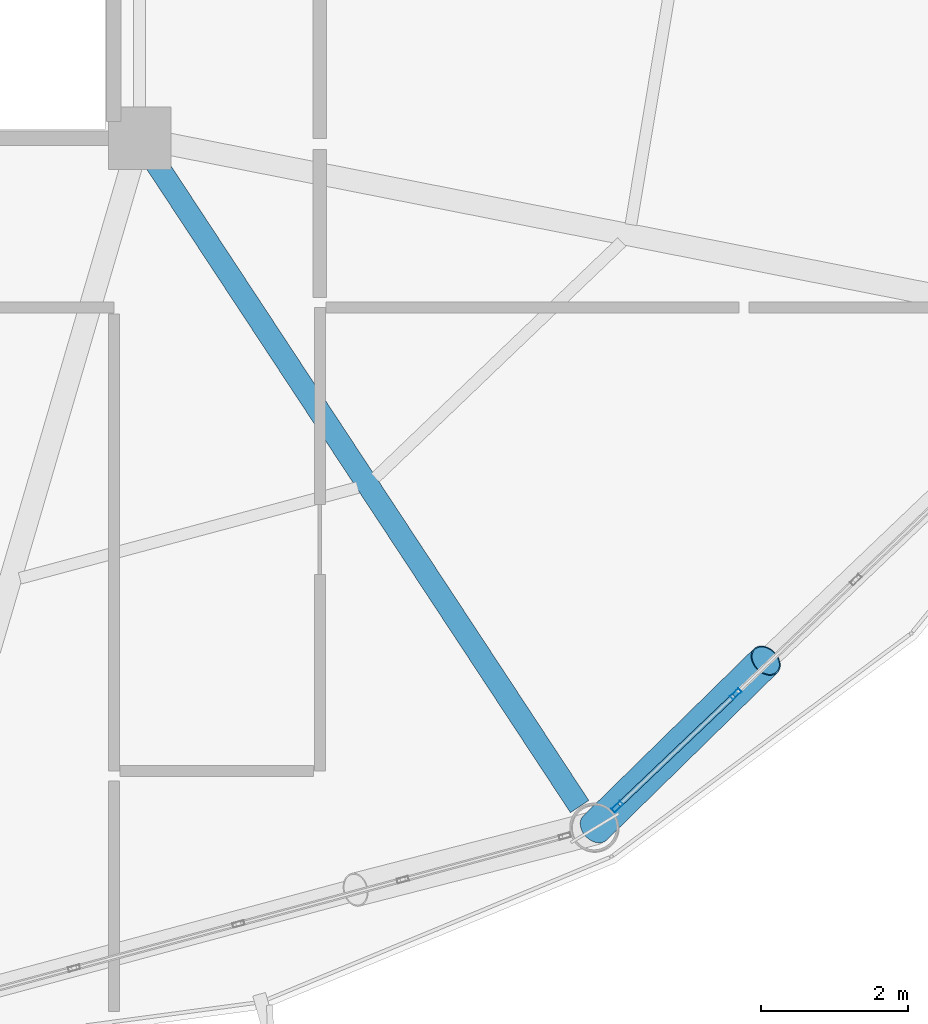
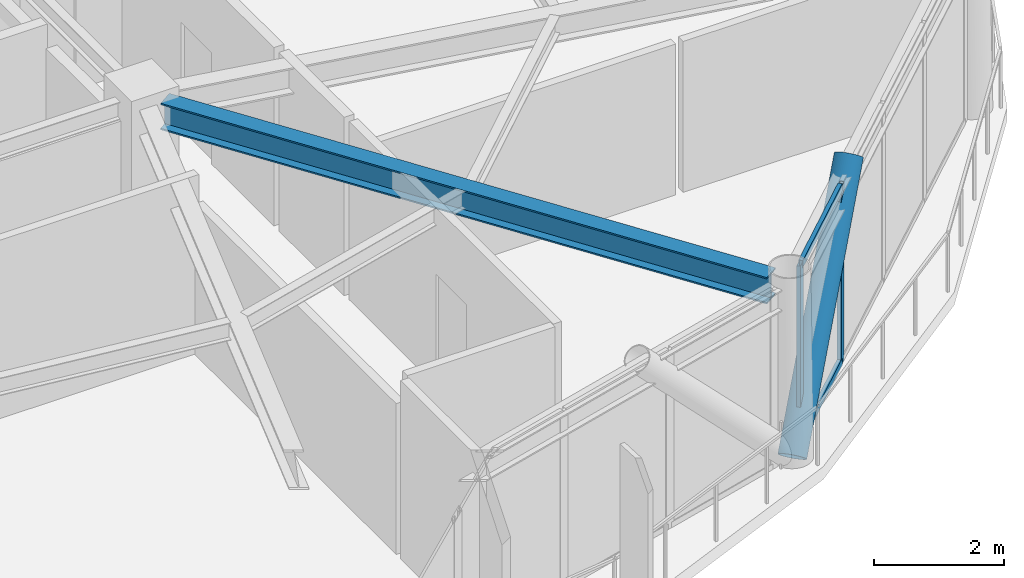
# One storey, part 9 of 28: 5 members, 1 beam, 1 element without a shape of its own.
"""IFC4 building model written with IfcOpenShell, lengths in metres."""

from ifc_helpers import new_model, si_unit, direction, frame, origin, origin_2d, place, context, subcontext, project, spatial, hollow_rectangle, hollow_circle, i_section, extrude, material, layer, layer_set, material_profile, profile_set, type_object, element, aggregate, save


model = new_model("IFC4")

# Units and contexts
model_context = context("Model", 3, precision=1e-05, world=origin(), true_north=direction((0.0, 1.0)))
body_context = subcontext(model_context, "Body", "Model", "MODEL_VIEW")
ifc_project = project(units=[si_unit("LENGTHUNIT", "METRE"), si_unit("AREAUNIT", "SQUARE_METRE"), si_unit("VOLUMEUNIT", "CUBIC_METRE"), si_unit("PLANEANGLEUNIT", "RADIAN"), si_unit("MASSUNIT", "GRAM", prefix="KILO")], contexts=[model_context])

# Site, building, storey
site_placement = place(None, origin())
site = spatial("IfcSite", under=ifc_project, at=site_placement, CompositionType="ELEMENT")
building_placement = place(site_placement, origin())
building = spatial("IfcBuilding", under=site, at=building_placement, Name="Varnakorn Sky Granary", CompositionType="ELEMENT")
storey_placement = place(building_placement, frame((0.0, 0.0, 193.199951171875)))
storey = spatial("IfcBuildingStorey", under=building, at=storey_placement, Name="L48", CompositionType="ELEMENT", Elevation=193.199951171875)

# Beam
ifc_material_1 = material(Name="Steel S355JR", Category="steel")
ifc_material_profile_1 = material_profile(ifc_material_1, i_section(OverallWidth=0.300048828125, OverallDepth=0.5, WebThickness=0.014404296875, FlangeThickness=0.028076171875, at=origin_2d()), Name="HE 500 B")
ifc_profile_set_1 = profile_set([ifc_material_profile_1], Name="Steel S355JR")
beam_type = type_object("IfcBeamType", Name="BM-RAD-Z4", PredefinedType="BEAM", material=ifc_profile_set_1)
beam_placement = place(storey_placement, frame((8.57275390625, -6.938232421875, 3.110107421875), z_axis=(0.550015165049, -0.835154667242, 0.0), x_axis=(0.835154667242, 0.550015165049, 0.0)))
element("IfcBeam", 1, at=beam_placement, inside=storey, type_object=beam_type, Name="Radial Floor Girder RG11 L48", PredefinedType="BEAM", context=body_context, shape_type="SweptSolid", body=[
    extrude(i_section(OverallWidth=0.300048828125, OverallDepth=0.5, WebThickness=0.014404296875, FlangeThickness=0.028076171875, at=origin_2d()), origin(), (0.0, 0.0, 1.0), 10.4697265625),
])

# Curtain wall, members
ifc_material_2 = material(Name="Anodised Bronze Aluminium Alloy 6063-T6", Category="aluminium")
ifc_layer = layer(ifc_material_2, 0.169921875, Name="Anodised Bronze Aluminium Alloy 6063-T6")
ifc_layer_set = layer_set([ifc_layer], Name="Anodised Bronze Aluminium Alloy 6063-T6")
curtain_wall_type = type_object("IfcCurtainWallType", Name="CW-LAB-1", PredefinedType="USERDEFINED", material=ifc_layer_set)
curtain_wall_placement = place(storey_placement, origin())
curtain_wall = element("IfcCurtainWall", 2, at=curtain_wall_placement, inside=storey, type_object=curtain_wall_type, Name="Unitised Curtain Wall CW5 CW-L48-B11", ObjectType="CURTAIN WALL", PredefinedType="USERDEFINED")
ifc_material_profile_2 = material_profile(ifc_material_2, hollow_rectangle(XDim=0.06494140625, YDim=0.159912109375, WallThickness=0.00341796875, at=origin_2d()), Name="ALU MULL 65x160")
ifc_profile_set_2 = profile_set([ifc_material_profile_2], Name="Anodised Bronze Aluminium Alloy 6063-T6")
member_type_1 = type_object("IfcMemberType", Name="CW-LAB-1-MULL", PredefinedType="MULLION", material=ifc_profile_set_2)
member_1_placement = place(storey_placement, frame((16.452392578125, -14.15234375, 0.0), z_axis=(0.0, 0.0, 1.0), x_axis=(0.689516343161, -0.724270123996, 0.0)))
member_1 = element("IfcMember", 3, at=member_1_placement, type_object=member_type_1, Name="CW5 mullion 4", PredefinedType="MULLION", context=body_context, shape_type="SweptSolid", body=[
    extrude(hollow_rectangle(XDim=0.06494140625, YDim=0.159912109375, WallThickness=0.00341796875, at=origin_2d()), origin(), (0.0, 0.0, 1.0), 3.360107421875),
])
member_2_placement = place(storey_placement, frame((14.843994140625, -15.683349609375, 0.0), z_axis=(0.0, 0.0, 1.0), x_axis=(0.689516343161, -0.724270123996, 0.0)))
member_2 = element("IfcMember", 4, at=member_2_placement, type_object=member_type_1, Name="CW5 mullion 5", PredefinedType="MULLION", context=body_context, shape_type="SweptSolid", body=[
    extrude(hollow_rectangle(XDim=0.06494140625, YDim=0.159912109375, WallThickness=0.00341796875, at=origin_2d()), origin(), (0.0, 0.0, 1.0), 3.360107421875),
])
ifc_material_profile_3 = material_profile(ifc_material_2, hollow_rectangle(XDim=0.070068359375, YDim=0.139892578125, WallThickness=0.00341796875, at=origin_2d()), Name="ALU TRAN 70x140")
ifc_profile_set_3 = profile_set([ifc_material_profile_3], Name="Anodised Bronze Aluminium Alloy 6063-T6")
member_type_2 = type_object("IfcMemberType", Name="CW-LAB-1-TRAN", PredefinedType="USERDEFINED", material=ifc_profile_set_3)
member_3_placement = place(storey_placement, frame((16.4287109375, -14.1748046875, 0.03515625), z_axis=(-0.724280687879, -0.689505246656, 0.0), x_axis=(0.689505246656, -0.724280687879, 0.0)))
member_3 = element("IfcMember", 5, at=member_3_placement, type_object=member_type_2, Name="CW5 transom 4.1", ObjectType="TRANSOM", PredefinedType="USERDEFINED", context=body_context, shape_type="SweptSolid", body=[
    extrude(hollow_rectangle(XDim=0.070068359375, YDim=0.139892578125, WallThickness=0.00341796875, at=origin_2d()), origin(), (0.0, 0.0, 1.0), 2.1552734375),
])
member_4_placement = place(storey_placement, frame((16.4287109375, -14.1748046875, 3.324951171875), z_axis=(-0.724280687879, -0.689505246656, 0.0), x_axis=(0.689505246656, -0.724280687879, 0.0)))
member_4 = element("IfcMember", 6, at=member_4_placement, type_object=member_type_2, Name="CW5 transom 4.2", ObjectType="TRANSOM", PredefinedType="USERDEFINED", context=body_context, shape_type="SweptSolid", body=[
    extrude(hollow_rectangle(XDim=0.070068359375, YDim=0.139892578125, WallThickness=0.00341796875, at=origin_2d()), origin(), (0.0, 0.0, 1.0), 2.1552734375),
])
aggregate(curtain_wall, [member_1, member_2, member_3, member_4])

# Member
ifc_material_3 = material(Name="Steel S460M", Category="steel")
ifc_material_profile_4 = material_profile(ifc_material_3, hollow_circle(Radius=0.228515625, WallThickness=0.01611328125, at=origin_2d()), Name="CHS 457x16")
ifc_profile_set_4 = profile_set([ifc_material_profile_4], Name="Steel S460M")
member_type_3 = type_object("IfcMemberType", Name="MB-DIAG-T3", PredefinedType="BRACE", material=ifc_profile_set_4)
member_5_placement = place(storey_placement, frame((14.5380859375, -15.974609375, 0.0), z_axis=(0.486863513428, 0.477087343215, 0.731677241847), x_axis=(-0.699899471788, 0.714241366339, 0.0)))
element("IfcMember", 7, at=member_5_placement, inside=storey, type_object=member_type_3, Name="Perimeter CHS Diagrid Brace DG11 L48", PredefinedType="BRACE", context=body_context, shape_type="SweptSolid", body=[
    extrude(hollow_circle(Radius=0.228515625, WallThickness=0.01611328125, at=origin_2d()), origin(), (0.0, 0.0, 1.0), 4.769775390625),
])

save(model, "model.ifc")
